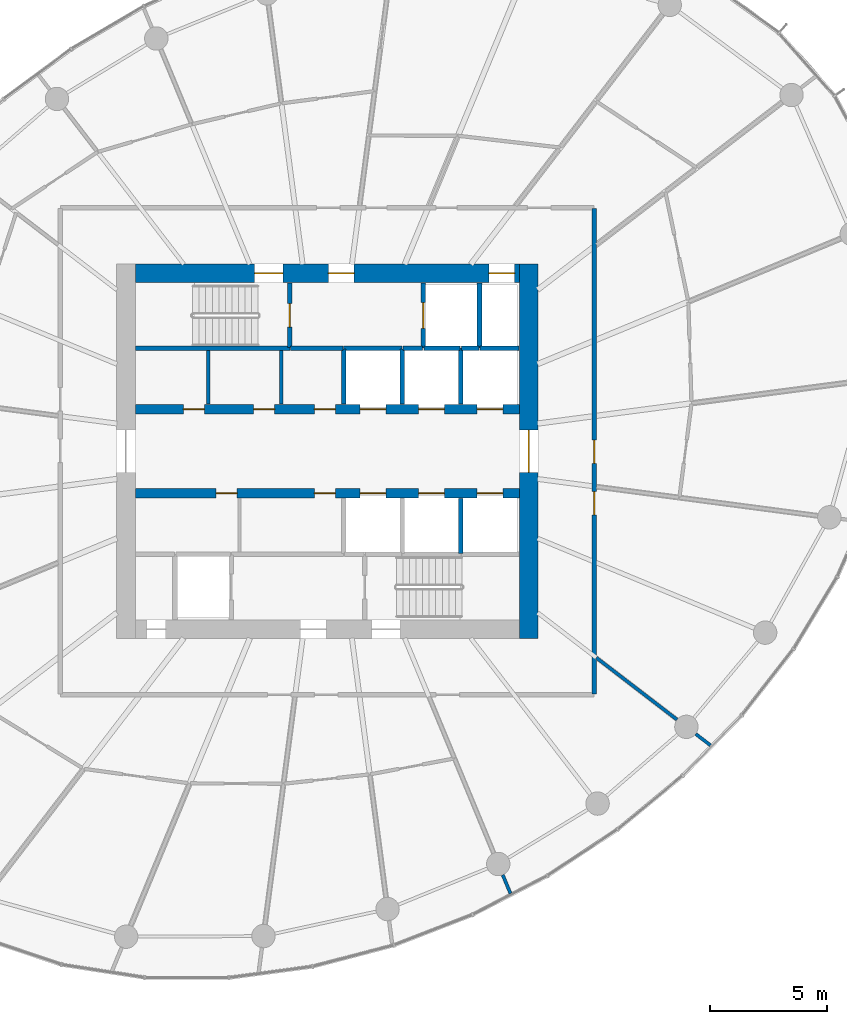
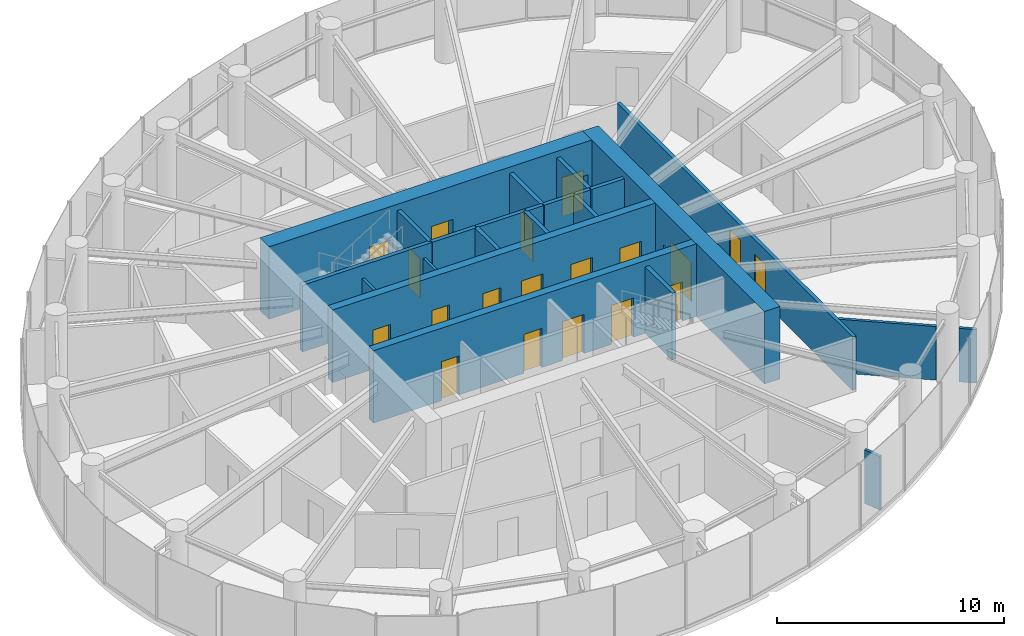
# One storey, part 10 of 15: 24 walls, 19 doors, 19 openings.
"""IFC4 building model written with IfcOpenShell, lengths in metres."""

from ifc_helpers import new_model, si_unit, direction, frame, frame_2d, origin, place, context, subcontext, project, spatial, rectangle, extrude, source, transform, mapped, material, layer, layer_set, type_object, element, fill, save


model = new_model("IFC4")

# Units and contexts
model_context = context("Model", 3, precision=1e-05, world=origin(), true_north=direction((0.0, 1.0)))
body_context = subcontext(model_context, "Body", "Model", "MODEL_VIEW")
ifc_project = project(units=[si_unit("LENGTHUNIT", "METRE"), si_unit("AREAUNIT", "SQUARE_METRE"), si_unit("VOLUMEUNIT", "CUBIC_METRE"), si_unit("PLANEANGLEUNIT", "RADIAN"), si_unit("MASSUNIT", "GRAM", prefix="KILO")], contexts=[model_context])

# Site, building, storey
site_placement = place(None, origin())
site = spatial("IfcSite", under=ifc_project, at=site_placement, CompositionType="ELEMENT")
building_placement = place(site_placement, origin())
building = spatial("IfcBuilding", under=site, at=building_placement, Name="Spindrift Exchange Tower", CompositionType="ELEMENT")
storey_placement = place(building_placement, frame((0.0, 0.0, 168.199951171875)))
storey = spatial("IfcBuildingStorey", under=building, at=storey_placement, Name="L40", CompositionType="ELEMENT", Elevation=168.199951171875)

# Wall, opening, door
ifc_material_1 = material(Name="Concrete 65 MPa", Category="concrete")
ifc_layer_1 = layer(ifc_material_1, 0.800048828125)
ifc_layer_set_1 = layer_set([ifc_layer_1], Name="RC Core Wall 800 Concrete 65 MPa")
wall_type_1 = type_object("IfcWallType", Name="RC Core Wall 800 Concrete 65 MPa", PredefinedType="SHEAR", material=ifc_layer_set_1)
wall_1_placement = place(storey_placement, frame((60.60009765625, 40.0, 0.0), z_axis=(0.0, 0.0, 1.0), x_axis=(0.0, 1.0, 0.0)))
wall_1 = element("IfcWall", 1, at=wall_1_placement, inside=storey, type_object=wall_type_1, Name="Core wall E L40", PredefinedType="SHEAR", context=body_context, shape_type="SweptSolid", body=[
    extrude(rectangle(XDim=16.0, YDim=0.800048828125, at=frame_2d((8.0, 0.0))), origin(), (0.0, 0.0, 1.0), 3.900146484375),
])
opening_1_placement = place(wall_1_placement, frame((7.10009765625, 0.0, 0.0)))
opening_1 = element("IfcOpeningElement", 2, at=opening_1_placement, cuts=wall_1, Name="Opening L40-D2", PredefinedType="OPENING", context=body_context, shape_type="SweptSolid", body=[
    extrude(rectangle(XDim=1.800048828125, YDim=2.10009765625, at=frame_2d((0.89990234375, 1.050048828125))), frame((0.0, 0.409912109375, 0.0), z_axis=(0.0, -1.0, 0.0), x_axis=(1.0, 0.0, 0.0)), (0.0, 0.0, 1.0), 0.820068359375),
])
ifc_material_2 = material(Name="Timber-core fire door", Category="wood")
door_type_1 = type_object("IfcDoorType", Name="DR-LOBBY-1800", OperationType="NOTDEFINED", PredefinedType="DOOR", material=ifc_material_2)
shared_shape_1 = source(origin(), body_context, "Body", "SweptSolid", [
    extrude(rectangle(XDim=1.800048828125, YDim=2.10009765625, at=frame_2d((0.89990234375, 1.050048828125))), frame((0.0, 0.02490234375, 0.0), z_axis=(0.0, -1.0, 0.0), x_axis=(1.0, 0.0, 0.0)), (0.0, 0.0, 1.0), 0.050048828125),
])
door_1_placement = place(opening_1_placement, origin())
door_1 = element("IfcDoor", 3, at=door_1_placement, inside=storey, type_object=door_type_1, Name="L40 Lobby door 2", OperationType="SINGLE_SWING_LEFT", OverallHeight=2.10009765625, OverallWidth=1.800048828125, PredefinedType="DOOR", context=body_context, shape_type="MappedRepresentation", body=[
    mapped(shared_shape_1, transform((0.0, 0.0, 0.0), scale=1.0)),
])
fill(opening_1, door_1)

# Wall, openings, doors
wall_2_placement = place(storey_placement, frame((60.199951171875, 55.60009765625, 0.0), z_axis=(0.0, 0.0, 1.0), x_axis=(-1.0, 0.0, 0.0)))
wall_2 = element("IfcWall", 4, at=wall_2_placement, inside=storey, type_object=wall_type_1, Name="Core wall N L40", PredefinedType="SHEAR", context=body_context, shape_type="SweptSolid", body=[
    extrude(rectangle(XDim=16.39990234375, YDim=0.800048828125, at=frame_2d((8.199951171875, 0.0))), origin(), (0.0, 0.0, 1.0), 3.900146484375),
])
opening_2_placement = place(wall_2_placement, frame((0.199951171875, 0.0, 0.0)))
opening_2 = element("IfcOpeningElement", 5, at=opening_2_placement, cuts=wall_2, Name="Opening L40-D11", PredefinedType="OPENING", context=body_context, shape_type="SweptSolid", body=[
    extrude(rectangle(XDim=1.10009765625, YDim=2.10009765625, at=frame_2d((0.550048828125, 1.050048828125))), frame((0.0, 0.409912109375, 0.0), z_axis=(0.0, -1.0, 0.0), x_axis=(1.0, 0.0, 0.0)), (0.0, 0.0, 1.0), 0.820068359375),
])
opening_3_placement = place(wall_2_placement, frame((10.10009765625, 0.0, 0.0)))
opening_3 = element("IfcOpeningElement", 6, at=opening_3_placement, cuts=wall_2, Name="Opening L40-D12", PredefinedType="OPENING", context=body_context, shape_type="SweptSolid", body=[
    extrude(rectangle(XDim=1.199951171875, YDim=2.10009765625, at=frame_2d((0.60009765625, 1.050048828125))), frame((0.0, 0.409912109375, 0.0), z_axis=(0.0, -1.0, 0.0), x_axis=(1.0, 0.0, 0.0)), (0.0, 0.0, 1.0), 0.820068359375),
])
opening_4_placement = place(wall_2_placement, frame((7.050048828125, 0.0, 0.0)))
opening_4 = element("IfcOpeningElement", 7, at=opening_4_placement, cuts=wall_2, Name="Opening L40-D14", PredefinedType="OPENING", context=body_context, shape_type="SweptSolid", body=[
    extrude(rectangle(XDim=1.10009765625, YDim=2.10009765625, at=frame_2d((0.550048828125, 1.050048828125))), frame((0.0, 0.409912109375, 0.0), z_axis=(0.0, -1.0, 0.0), x_axis=(1.0, 0.0, 0.0)), (0.0, 0.0, 1.0), 0.820068359375),
])
ifc_material_3 = material(Name="Stainless steel landing door", Category="steel")
door_type_2 = type_object("IfcDoorType", Name="DR-LANDING-1100-SL", OperationType="DOUBLE_DOOR_SLIDING", PredefinedType="USERDEFINED", material=ifc_material_3)
shared_shape_2 = source(origin(), body_context, "Body", "SweptSolid", [
    extrude(rectangle(XDim=1.10009765625, YDim=2.10009765625, at=frame_2d((0.550048828125, 1.050048828125))), frame((0.0, 0.02490234375, 0.0), z_axis=(0.0, -1.0, 0.0), x_axis=(1.0, 0.0, 0.0)), (0.0, 0.0, 1.0), 0.050048828125),
])
door_2_placement = place(opening_2_placement, origin())
door_2 = element("IfcDoor", 8, at=door_2_placement, inside=storey, type_object=door_type_2, Name="L40 Lift landing door 11", ObjectType="LANDING DOOR", OperationType="DOUBLE_DOOR_SLIDING", OverallHeight=2.10009765625, OverallWidth=1.10009765625, PredefinedType="USERDEFINED", context=body_context, shape_type="MappedRepresentation", body=[
    mapped(shared_shape_2, transform((0.0, 0.0, 0.0), scale=1.0)),
])
fill(opening_2, door_2)
ifc_material_4 = material(Name="Steel fire door", Category="steel")
door_type_3 = type_object("IfcDoorType", Name="DR-STAIR-1200", OperationType="NOTDEFINED", PredefinedType="DOOR", material=ifc_material_4)
shared_shape_3 = source(origin(), body_context, "Body", "SweptSolid", [
    extrude(rectangle(XDim=1.199951171875, YDim=2.10009765625, at=frame_2d((0.60009765625, 1.050048828125))), frame((0.0, 0.02490234375, 0.0), z_axis=(0.0, -1.0, 0.0), x_axis=(1.0, 0.0, 0.0)), (0.0, 0.0, 1.0), 0.050048828125),
])
door_3_placement = place(opening_3_placement, origin())
door_3 = element("IfcDoor", 9, at=door_3_placement, inside=storey, type_object=door_type_3, Name="L40 Stair door 12", OperationType="SINGLE_SWING_RIGHT", OverallHeight=2.10009765625, OverallWidth=1.199951171875, PredefinedType="DOOR", context=body_context, shape_type="MappedRepresentation", body=[
    mapped(shared_shape_3, transform((0.0, 0.0, 0.0), scale=1.0)),
])
fill(opening_3, door_3)
door_type_4 = type_object("IfcDoorType", Name="DR-LOBBY-1100", OperationType="NOTDEFINED", PredefinedType="DOOR", material=ifc_material_2)
shared_shape_4 = source(origin(), body_context, "Body", "SweptSolid", [
    extrude(rectangle(XDim=1.10009765625, YDim=2.10009765625, at=frame_2d((0.550048828125, 1.050048828125))), frame((0.0, 0.02490234375, 0.0), z_axis=(0.0, -1.0, 0.0), x_axis=(1.0, 0.0, 0.0)), (0.0, 0.0, 1.0), 0.050048828125),
])
door_4_placement = place(opening_4_placement, origin())
door_4 = element("IfcDoor", 10, at=door_4_placement, inside=storey, type_object=door_type_4, Name="L40 Lobby door 14", OperationType="SINGLE_SWING_RIGHT", OverallHeight=2.10009765625, OverallWidth=1.10009765625, PredefinedType="DOOR", context=body_context, shape_type="MappedRepresentation", body=[
    mapped(shared_shape_4, transform((0.0, 0.0, 0.0), scale=1.0)),
])
fill(opening_4, door_4)

ifc_layer_2 = layer(ifc_material_1, 0.39990234375)
ifc_layer_set_2 = layer_set([ifc_layer_2], Name="RC Spine Wall 400 Concrete 65 MPa")
wall_type_2 = type_object("IfcWallType", Name="RC Spine Wall 400 Concrete 65 MPa", PredefinedType="SHEAR", material=ifc_layer_set_2)
wall_3_placement = place(storey_placement, frame((43.800048828125, 49.800048828125, 0.0), z_axis=(0.0, 0.0, 1.0), x_axis=(1.0, 0.0, 0.0)))
wall_3 = element("IfcWall", 11, at=wall_3_placement, inside=storey, type_object=wall_type_2, Name="Core spine wall N L40", PredefinedType="SHEAR", context=body_context, shape_type="SweptSolid", body=[
    extrude(rectangle(XDim=16.39990234375, YDim=0.39990234375, at=frame_2d((8.199951171875, 0.0))), origin(), (0.0, 0.0, 1.0), 3.900146484375),
])
opening_5_placement = place(wall_3_placement, frame((9.60009765625, 0.0, 0.0)))
opening_5 = element("IfcOpeningElement", 12, at=opening_5_placement, cuts=wall_3, Name="Opening L40-D3", PredefinedType="OPENING", context=body_context, shape_type="SweptSolid", body=[
    extrude(rectangle(XDim=1.10009765625, YDim=2.10009765625, at=frame_2d((0.550048828125, 1.050048828125))), frame((0.0, 0.2099609375, 0.0), z_axis=(0.0, -1.0, 0.0), x_axis=(1.0, 0.0, 0.0)), (0.0, 0.0, 1.0), 0.419921875),
])
opening_6_placement = place(wall_3_placement, frame((12.10009765625, 0.0, 0.0)))
opening_6 = element("IfcOpeningElement", 13, at=opening_6_placement, cuts=wall_3, Name="Opening L40-D4", PredefinedType="OPENING", context=body_context, shape_type="SweptSolid", body=[
    extrude(rectangle(XDim=1.10009765625, YDim=2.10009765625, at=frame_2d((0.550048828125, 1.050048828125))), frame((0.0, 0.2099609375, 0.0), z_axis=(0.0, -1.0, 0.0), x_axis=(1.0, 0.0, 0.0)), (0.0, 0.0, 1.0), 0.419921875),
])
opening_7_placement = place(wall_3_placement, frame((14.60009765625, 0.0, 0.0)))
opening_7 = element("IfcOpeningElement", 14, at=opening_7_placement, cuts=wall_3, Name="Opening L40-D5", PredefinedType="OPENING", context=body_context, shape_type="SweptSolid", body=[
    extrude(rectangle(XDim=1.10009765625, YDim=2.10009765625, at=frame_2d((0.550048828125, 1.050048828125))), frame((0.0, 0.2099609375, 0.0), z_axis=(0.0, -1.0, 0.0), x_axis=(1.0, 0.0, 0.0)), (0.0, 0.0, 1.0), 0.419921875),
])
opening_8_placement = place(wall_3_placement, frame((2.050048828125, 0.0, 0.0)))
opening_8 = element("IfcOpeningElement", 15, at=opening_8_placement, cuts=wall_3, Name="Opening L40-D49", PredefinedType="OPENING", context=body_context, shape_type="SweptSolid", body=[
    extrude(rectangle(XDim=0.89990234375, YDim=2.10009765625, at=frame_2d((0.449951171875, 1.050048828125))), frame((0.0, 0.2099609375, 0.0), z_axis=(0.0, -1.0, 0.0), x_axis=(1.0, 0.0, 0.0)), (0.0, 0.0, 1.0), 0.419921875),
])
opening_9_placement = place(wall_3_placement, frame((5.050048828125, 0.0, 0.0)))
opening_9 = element("IfcOpeningElement", 16, at=opening_9_placement, cuts=wall_3, Name="Opening L40-D50", PredefinedType="OPENING", context=body_context, shape_type="SweptSolid", body=[
    extrude(rectangle(XDim=0.89990234375, YDim=2.10009765625, at=frame_2d((0.449951171875, 1.050048828125))), frame((0.0, 0.2099609375, 0.0), z_axis=(0.0, -1.0, 0.0), x_axis=(1.0, 0.0, 0.0)), (0.0, 0.0, 1.0), 0.419921875),
])
opening_10_placement = place(wall_3_placement, frame((7.64990234375, 0.0, 0.0)))
opening_10 = element("IfcOpeningElement", 17, at=opening_10_placement, cuts=wall_3, Name="Opening L40-D51", PredefinedType="OPENING", context=body_context, shape_type="SweptSolid", body=[
    extrude(rectangle(XDim=0.89990234375, YDim=2.10009765625, at=frame_2d((0.449951171875, 1.050048828125))), frame((0.0, 0.2099609375, 0.0), z_axis=(0.0, -1.0, 0.0), x_axis=(1.0, 0.0, 0.0)), (0.0, 0.0, 1.0), 0.419921875),
])
door_5_placement = place(opening_5_placement, origin())
door_5 = element("IfcDoor", 18, at=door_5_placement, inside=storey, type_object=door_type_2, Name="L40 Lift landing door 3", ObjectType="LANDING DOOR", OperationType="DOUBLE_DOOR_SLIDING", OverallHeight=2.10009765625, OverallWidth=1.10009765625, PredefinedType="USERDEFINED", context=body_context, shape_type="MappedRepresentation", body=[
    mapped(shared_shape_2, transform((0.0, 0.0, 0.0), scale=1.0)),
])
fill(opening_5, door_5)
door_6_placement = place(opening_6_placement, origin())
door_6 = element("IfcDoor", 19, at=door_6_placement, inside=storey, type_object=door_type_2, Name="L40 Lift landing door 4", ObjectType="LANDING DOOR", OperationType="DOUBLE_DOOR_SLIDING", OverallHeight=2.10009765625, OverallWidth=1.10009765625, PredefinedType="USERDEFINED", context=body_context, shape_type="MappedRepresentation", body=[
    mapped(shared_shape_2, transform((0.0, 0.0, 0.0), scale=1.0)),
])
fill(opening_6, door_6)
door_7_placement = place(opening_7_placement, origin())
door_7 = element("IfcDoor", 20, at=door_7_placement, inside=storey, type_object=door_type_2, Name="L40 Lift landing door 5", ObjectType="LANDING DOOR", OperationType="DOUBLE_DOOR_SLIDING", OverallHeight=2.10009765625, OverallWidth=1.10009765625, PredefinedType="USERDEFINED", context=body_context, shape_type="MappedRepresentation", body=[
    mapped(shared_shape_2, transform((0.0, 0.0, 0.0), scale=1.0)),
])
fill(opening_7, door_7)
ifc_material_5 = material(Name="Steel access door", Category="steel")
door_type_5 = type_object("IfcDoorType", Name="DR-RISER-900", OperationType="NOTDEFINED", PredefinedType="DOOR", material=ifc_material_5)
shared_shape_5 = source(origin(), body_context, "Body", "SweptSolid", [
    extrude(rectangle(XDim=0.89990234375, YDim=2.10009765625, at=frame_2d((0.449951171875, 1.050048828125))), frame((0.0, 0.02490234375, 0.0), z_axis=(0.0, -1.0, 0.0), x_axis=(1.0, 0.0, 0.0)), (0.0, 0.0, 1.0), 0.050048828125),
])
door_8_placement = place(opening_8_placement, origin())
door_8 = element("IfcDoor", 21, at=door_8_placement, inside=storey, type_object=door_type_5, Name="L40 Riser door 49", OperationType="SINGLE_SWING_LEFT", OverallHeight=2.10009765625, OverallWidth=0.89990234375, PredefinedType="DOOR", context=body_context, shape_type="MappedRepresentation", body=[
    mapped(shared_shape_5, transform((0.0, 0.0, 0.0), scale=1.0)),
])
fill(opening_8, door_8)
door_9_placement = place(opening_9_placement, origin())
door_9 = element("IfcDoor", 22, at=door_9_placement, inside=storey, type_object=door_type_5, Name="L40 Riser door 50", OperationType="SINGLE_SWING_RIGHT", OverallHeight=2.10009765625, OverallWidth=0.89990234375, PredefinedType="DOOR", context=body_context, shape_type="MappedRepresentation", body=[
    mapped(shared_shape_5, transform((0.0, 0.0, 0.0), scale=1.0)),
])
fill(opening_9, door_9)
door_10_placement = place(opening_10_placement, origin())
door_10 = element("IfcDoor", 23, at=door_10_placement, inside=storey, type_object=door_type_5, Name="L40 Riser door 51", OperationType="SINGLE_SWING_LEFT", OverallHeight=2.10009765625, OverallWidth=0.89990234375, PredefinedType="DOOR", context=body_context, shape_type="MappedRepresentation", body=[
    mapped(shared_shape_5, transform((0.0, 0.0, 0.0), scale=1.0)),
])
fill(opening_10, door_10)

wall_4_placement = place(storey_placement, frame((43.800048828125, 46.199951171875, 0.0), z_axis=(0.0, 0.0, 1.0), x_axis=(1.0, 0.0, 0.0)))
wall_4 = element("IfcWall", 24, at=wall_4_placement, inside=storey, type_object=wall_type_2, Name="Core spine wall S L40", PredefinedType="SHEAR", context=body_context, shape_type="SweptSolid", body=[
    extrude(rectangle(XDim=16.39990234375, YDim=0.39990234375, at=frame_2d((8.199951171875, 0.0))), origin(), (0.0, 0.0, 1.0), 3.900146484375),
])
opening_11_placement = place(wall_4_placement, frame((9.60009765625, 0.0, 0.0)))
opening_11 = element("IfcOpeningElement", 25, at=opening_11_placement, cuts=wall_4, Name="Opening L40-D6", PredefinedType="OPENING", context=body_context, shape_type="SweptSolid", body=[
    extrude(rectangle(XDim=1.10009765625, YDim=2.10009765625, at=frame_2d((0.550048828125, 1.050048828125))), frame((0.0, 0.2099609375, 0.0), z_axis=(0.0, -1.0, 0.0), x_axis=(1.0, 0.0, 0.0)), (0.0, 0.0, 1.0), 0.419921875),
])
opening_12_placement = place(wall_4_placement, frame((12.10009765625, 0.0, 0.0)))
opening_12 = element("IfcOpeningElement", 26, at=opening_12_placement, cuts=wall_4, Name="Opening L40-D7", PredefinedType="OPENING", context=body_context, shape_type="SweptSolid", body=[
    extrude(rectangle(XDim=1.10009765625, YDim=2.10009765625, at=frame_2d((0.550048828125, 1.050048828125))), frame((0.0, 0.2099609375, 0.0), z_axis=(0.0, -1.0, 0.0), x_axis=(1.0, 0.0, 0.0)), (0.0, 0.0, 1.0), 0.419921875),
])
opening_13_placement = place(wall_4_placement, frame((14.60009765625, 0.0, 0.0)))
opening_13 = element("IfcOpeningElement", 27, at=opening_13_placement, cuts=wall_4, Name="Opening L40-D8", PredefinedType="OPENING", context=body_context, shape_type="SweptSolid", body=[
    extrude(rectangle(XDim=1.10009765625, YDim=2.10009765625, at=frame_2d((0.550048828125, 1.050048828125))), frame((0.0, 0.2099609375, 0.0), z_axis=(0.0, -1.0, 0.0), x_axis=(1.0, 0.0, 0.0)), (0.0, 0.0, 1.0), 0.419921875),
])
opening_14_placement = place(wall_4_placement, frame((3.449951171875, 0.0, 0.0)))
opening_14 = element("IfcOpeningElement", 28, at=opening_14_placement, cuts=wall_4, Name="Opening L40-D52", PredefinedType="OPENING", context=body_context, shape_type="SweptSolid", body=[
    extrude(rectangle(XDim=0.89990234375, YDim=2.10009765625, at=frame_2d((0.449951171875, 1.050048828125))), frame((0.0, 0.2099609375, 0.0), z_axis=(0.0, -1.0, 0.0), x_axis=(1.0, 0.0, 0.0)), (0.0, 0.0, 1.0), 0.419921875),
])
opening_15_placement = place(wall_4_placement, frame((7.64990234375, 0.0, 0.0)))
opening_15 = element("IfcOpeningElement", 29, at=opening_15_placement, cuts=wall_4, Name="Opening L40-D53", PredefinedType="OPENING", context=body_context, shape_type="SweptSolid", body=[
    extrude(rectangle(XDim=0.89990234375, YDim=2.10009765625, at=frame_2d((0.449951171875, 1.050048828125))), frame((0.0, 0.2099609375, 0.0), z_axis=(0.0, -1.0, 0.0), x_axis=(1.0, 0.0, 0.0)), (0.0, 0.0, 1.0), 0.419921875),
])
door_11_placement = place(opening_11_placement, origin())
door_11 = element("IfcDoor", 30, at=door_11_placement, inside=storey, type_object=door_type_2, Name="L40 Lift landing door 6", ObjectType="LANDING DOOR", OperationType="DOUBLE_DOOR_SLIDING", OverallHeight=2.10009765625, OverallWidth=1.10009765625, PredefinedType="USERDEFINED", context=body_context, shape_type="MappedRepresentation", body=[
    mapped(shared_shape_2, transform((0.0, 0.0, 0.0), scale=1.0)),
])
fill(opening_11, door_11)
door_12_placement = place(opening_12_placement, origin())
door_12 = element("IfcDoor", 31, at=door_12_placement, inside=storey, type_object=door_type_2, Name="L40 Lift landing door 7", ObjectType="LANDING DOOR", OperationType="DOUBLE_DOOR_SLIDING", OverallHeight=2.10009765625, OverallWidth=1.10009765625, PredefinedType="USERDEFINED", context=body_context, shape_type="MappedRepresentation", body=[
    mapped(shared_shape_2, transform((0.0, 0.0, 0.0), scale=1.0)),
])
fill(opening_12, door_12)
door_13_placement = place(opening_13_placement, origin())
door_13 = element("IfcDoor", 32, at=door_13_placement, inside=storey, type_object=door_type_2, Name="L40 Lift landing door 8", ObjectType="LANDING DOOR", OperationType="DOUBLE_DOOR_SLIDING", OverallHeight=2.10009765625, OverallWidth=1.10009765625, PredefinedType="USERDEFINED", context=body_context, shape_type="MappedRepresentation", body=[
    mapped(shared_shape_2, transform((0.0, 0.0, 0.0), scale=1.0)),
])
fill(opening_13, door_13)
door_14_placement = place(opening_14_placement, origin())
door_14 = element("IfcDoor", 33, at=door_14_placement, inside=storey, type_object=door_type_5, Name="L40 Riser door 52", OperationType="SINGLE_SWING_RIGHT", OverallHeight=2.10009765625, OverallWidth=0.89990234375, PredefinedType="DOOR", context=body_context, shape_type="MappedRepresentation", body=[
    mapped(shared_shape_5, transform((0.0, 0.0, 0.0), scale=1.0)),
])
fill(opening_14, door_14)
door_15_placement = place(opening_15_placement, origin())
door_15 = element("IfcDoor", 34, at=door_15_placement, inside=storey, type_object=door_type_5, Name="L40 Riser door 53", OperationType="SINGLE_SWING_LEFT", OverallHeight=2.10009765625, OverallWidth=0.89990234375, PredefinedType="DOOR", context=body_context, shape_type="MappedRepresentation", body=[
    mapped(shared_shape_5, transform((0.0, 0.0, 0.0), scale=1.0)),
])
fill(opening_15, door_15)

ifc_material_6 = material(Name="Fire-rated plasterboard partition", Category="gypsum")
ifc_layer_3 = layer(ifc_material_6, 0.179931640625)
ifc_layer_set_3 = layer_set([ifc_layer_3], Name="W-CORR-180")
wall_type_3 = type_object("IfcWallType", Name="W-CORR-180", PredefinedType="PARTITIONING", material=ifc_layer_set_3)
wall_5_placement = place(storey_placement, frame((63.39990234375, 58.3701171875, 0.0), z_axis=(0.0, 0.0, 1.0), x_axis=(0.0, -1.0, 0.0)))
wall_5 = element("IfcWall", 35, at=wall_5_placement, inside=storey, type_object=wall_type_3, Name="L40 Partition wall 29", PredefinedType="PARTITIONING", context=body_context, shape_type="SweptSolid", body=[
    extrude(rectangle(XDim=20.740234375, YDim=0.179931640625, at=frame_2d((10.3701171875, 0.0))), origin(), (0.0, 0.0, 1.0), 2.880126953125),
])
opening_16_placement = place(wall_5_placement, frame((12.090087890625, 0.0, 0.0)))
opening_16 = element("IfcOpeningElement", 36, at=opening_16_placement, cuts=wall_5, Name="Opening L40-D42", PredefinedType="OPENING", context=body_context, shape_type="SweptSolid", body=[
    extrude(rectangle(XDim=1.0, YDim=2.10009765625, at=frame_2d((0.5, 1.050048828125))), frame((0.0, 0.099853515625, 0.0), z_axis=(0.0, -1.0, 0.0), x_axis=(1.0, 0.0, 0.0)), (0.0, 0.0, 1.0), 0.199951171875),
])
opening_17_placement = place(wall_5_placement, frame((9.889892578125, 0.0, 0.0)))
opening_17 = element("IfcOpeningElement", 37, at=opening_17_placement, cuts=wall_5, Name="Opening L40-D43", PredefinedType="OPENING", context=body_context, shape_type="SweptSolid", body=[
    extrude(rectangle(XDim=1.0, YDim=2.10009765625, at=frame_2d((0.5, 1.050048828125))), frame((0.0, 0.099853515625, 0.0), z_axis=(0.0, -1.0, 0.0), x_axis=(1.0, 0.0, 0.0)), (0.0, 0.0, 1.0), 0.199951171875),
])
door_type_6 = type_object("IfcDoorType", Name="DR-ROOM-1000", OperationType="NOTDEFINED", PredefinedType="DOOR", material=ifc_material_2)
shared_shape_6 = source(origin(), body_context, "Body", "SweptSolid", [
    extrude(rectangle(XDim=1.0, YDim=2.10009765625, at=frame_2d((0.5, 1.050048828125))), frame((0.0, 0.02490234375, 0.0), z_axis=(0.0, -1.0, 0.0), x_axis=(1.0, 0.0, 0.0)), (0.0, 0.0, 1.0), 0.050048828125),
])
door_16_placement = place(opening_16_placement, origin())
door_16 = element("IfcDoor", 38, at=door_16_placement, inside=storey, type_object=door_type_6, Name="L40 Door 42", OperationType="SINGLE_SWING_RIGHT", OverallHeight=2.10009765625, OverallWidth=1.0, PredefinedType="DOOR", context=body_context, shape_type="MappedRepresentation", body=[
    mapped(shared_shape_6, transform((0.0, 0.0, 0.0), scale=1.0)),
])
fill(opening_16, door_16)
door_17_placement = place(opening_17_placement, origin())
door_17 = element("IfcDoor", 39, at=door_17_placement, inside=storey, type_object=door_type_6, Name="L40 Door 43", OperationType="SINGLE_SWING_LEFT", OverallHeight=2.10009765625, OverallWidth=1.0, PredefinedType="DOOR", context=body_context, shape_type="MappedRepresentation", body=[
    mapped(shared_shape_6, transform((0.0, 0.0, 0.0), scale=1.0)),
])
fill(opening_17, door_17)

# Walls
ifc_layer_4 = layer(ifc_material_6, 0.139892578125)
ifc_layer_set_4 = layer_set([ifc_layer_4], Name="W-PART-140")
wall_type_4 = type_object("IfcWallType", Name="W-PART-140", PredefinedType="PARTITIONING", material=ifc_layer_set_4)
wall_6_placement = place(storey_placement, frame((63.489990234375, 39.183349609375, 0.0), z_axis=(0.0, 0.0, 1.0), x_axis=(0.793348465904, -0.608767781382, 0.0)))
element("IfcWall", 40, at=wall_6_placement, inside=storey, type_object=wall_type_4, Name="L40 Partition wall 51", PredefinedType="PARTITIONING", context=body_context, shape_type="SweptSolid", body=[
    extrude(rectangle(XDim=4.34375, YDim=0.139892578125, at=frame_2d((2.171875, 0.0))), origin(), (0.0, 0.0, 1.0), 2.880126953125),
])
for number, where, z_axis, x_axis, name in (
    (41, (46.9150390625, 50.010009765625, 0.0), (0.0, 0.0, 1.0), (0.0, 1.0, 0.0), "L40 Partition wall 79"),
    (42, (50.030029296875, 50.010009765625, 0.0), (0.0, 0.0, 1.0), (0.0, 1.0, 0.0), "L40 Partition wall 81"),
):
    element("IfcWall", number, at=place(storey_placement, frame(where, z_axis=z_axis, x_axis=x_axis)), inside=storey, type_object=wall_type_4, Name=name, PredefinedType="PARTITIONING", context=body_context, shape_type="SweptSolid", body=[
        extrude(rectangle(XDim=2.2900390625, YDim=0.139892578125, at=frame_2d((1.14501953125, 0.0))), origin(), (0.0, 0.0, 1.0), 2.880126953125),
    ])
wall_7_placement = place(storey_placement, frame((59.494140625, 29.90771484375, 0.0), z_axis=(0.0, 0.0, 1.0), x_axis=(0.382636339827, -0.923899037473, 0.0)))
element("IfcWall", 43, at=wall_7_placement, inside=storey, type_object=wall_type_4, Name="L40 Partition wall 97", PredefinedType="PARTITIONING", context=body_context, shape_type="SweptSolid", body=[
    extrude(rectangle(XDim=0.85888671875, YDim=0.139892578125, at=frame_2d((0.429443359375, 0.0))), origin(), (0.0, 0.0, 1.0), 2.880126953125),
])
wall_8_placement = place(storey_placement, frame((67.736572265625, 35.9248046875, 0.0), z_axis=(0.0, 0.0, 1.0), x_axis=(0.79338870093, -0.608715343355, 0.0)))
element("IfcWall", 44, at=wall_8_placement, inside=storey, type_object=wall_type_4, Name="L40 Partition wall 107", PredefinedType="PARTITIONING", context=body_context, shape_type="SweptSolid", body=[
    extrude(rectangle(XDim=0.79443359375, YDim=0.139892578125, at=frame_2d((0.397216796875, 0.0))), origin(), (0.0, 0.0, 1.0), 2.880126953125),
])

# Wall, opening, door
ifc_material_7 = material(Name="Concrete 40 MPa", Category="concrete")
ifc_layer_5 = layer(ifc_material_7, 0.199951171875)
ifc_layer_set_5 = layer_set([ifc_layer_5], Name="W-SHAFT-200")
wall_type_5 = type_object("IfcWallType", Name="W-SHAFT-200", PredefinedType="SOLIDWALL", material=ifc_layer_set_5)
wall_9_placement = place(storey_placement, frame((56.10009765625, 55.179931640625, 0.0), z_axis=(0.0, 0.0, 1.0), x_axis=(0.0, -1.0, 0.0)))
wall_9 = element("IfcWall", 45, at=wall_9_placement, inside=storey, type_object=wall_type_5, Name="L40 Shaft wall 7", PredefinedType="SOLIDWALL", context=body_context, shape_type="SweptSolid", body=[
    extrude(rectangle(XDim=2.780029296875, YDim=0.199951171875, at=frame_2d((1.39013671875, 0.0))), origin(), (0.0, 0.0, 1.0), 3.580078125),
])
opening_18_placement = place(wall_9_placement, frame((0.830078125, 0.0, 0.0)))
opening_18 = element("IfcOpeningElement", 46, at=opening_18_placement, cuts=wall_9, Name="Opening L40-D9", PredefinedType="OPENING", context=body_context, shape_type="SweptSolid", body=[
    extrude(rectangle(XDim=1.10009765625, YDim=2.10009765625, at=frame_2d((0.550048828125, 1.050048828125))), frame((0.0, 0.10986328125, 0.0), z_axis=(0.0, -1.0, 0.0), x_axis=(1.0, 0.0, 0.0)), (0.0, 0.0, 1.0), 0.219970703125),
])
door_18_placement = place(opening_18_placement, origin())
door_18 = element("IfcDoor", 47, at=door_18_placement, inside=storey, type_object=door_type_2, Name="L40 Lift landing door 9", ObjectType="LANDING DOOR", OperationType="DOUBLE_DOOR_SLIDING", OverallHeight=2.10009765625, OverallWidth=1.10009765625, PredefinedType="USERDEFINED", context=body_context, shape_type="MappedRepresentation", body=[
    mapped(shared_shape_2, transform((0.0, 0.0, 0.0), scale=1.0)),
])
fill(opening_18, door_18)

# Walls
wall_10_placement = place(storey_placement, frame((58.5, 52.39990234375, 0.0), z_axis=(0.0, 0.0, 1.0), x_axis=(0.0, 1.0, 0.0)))
element("IfcWall", 48, at=wall_10_placement, inside=storey, type_object=wall_type_5, Name="L40 Shaft wall 8", PredefinedType="SOLIDWALL", context=body_context, shape_type="SweptSolid", body=[
    extrude(rectangle(XDim=2.780029296875, YDim=0.199951171875, at=frame_2d((1.39013671875, 0.0))), origin(), (0.0, 0.0, 1.0), 3.580078125),
])
wall_11_placement = place(storey_placement, frame((55.199951171875, 52.39990234375, 0.0), z_axis=(0.0, 0.0, 1.0), x_axis=(-1.0, 0.0, 0.0)))
element("IfcWall", 49, at=wall_11_placement, inside=storey, type_object=wall_type_5, Name="L40 Shaft wall 9", PredefinedType="SOLIDWALL", context=body_context, shape_type="SweptSolid", body=[
    extrude(rectangle(XDim=2.5, YDim=0.199951171875, at=frame_2d((1.25, 0.0))), origin(), (0.0, 0.0, 1.0), 3.580078125),
])
for number, where, z_axis, x_axis, name in (
    (50, (52.699951171875, 52.3701171875, 0.0), (0.0, 0.0, 1.0), (0.0, -1.0, 0.0), "L40 Shaft wall 14"),
    (51, (55.199951171875, 50.010009765625, 0.0), (0.0, 0.0, 1.0), (0.0, 1.0, 0.0), "L40 Shaft wall 16"),
):
    element("IfcWall", number, at=place(storey_placement, frame(where, z_axis=z_axis, x_axis=x_axis)), inside=storey, type_object=wall_type_5, Name=name, PredefinedType="SOLIDWALL", context=body_context, shape_type="SweptSolid", body=[
        extrude(rectangle(XDim=2.360107421875, YDim=0.199951171875, at=frame_2d((1.18017578125, 0.0))), origin(), (0.0, 0.0, 1.0), 3.580078125),
    ])
wall_12_placement = place(storey_placement, frame((57.699951171875, 50.010009765625, 0.0), z_axis=(0.0, 0.0, 1.0), x_axis=(0.0, 1.0, 0.0)))
element("IfcWall", 52, at=wall_12_placement, inside=storey, type_object=wall_type_5, Name="L40 Shaft wall 18", PredefinedType="SOLIDWALL", context=body_context, shape_type="SweptSolid", body=[
    extrude(rectangle(XDim=2.389892578125, YDim=0.199951171875, at=frame_2d((1.19482421875, 0.0))), origin(), (0.0, 0.0, 1.0), 3.580078125),
])
wall_13_placement = place(storey_placement, frame((60.179931640625, 52.39990234375, 0.0), z_axis=(0.0, 0.0, 1.0), x_axis=(-1.0, 0.0, 0.0)))
element("IfcWall", 53, at=wall_13_placement, inside=storey, type_object=wall_type_5, Name="L40 Shaft wall 21", PredefinedType="SOLIDWALL", context=body_context, shape_type="SweptSolid", body=[
    extrude(rectangle(XDim=1.64990234375, YDim=0.199951171875, at=frame_2d((0.824951171875, 0.0))), origin(), (0.0, 0.0, 1.0), 3.580078125),
])
wall_14_placement = place(storey_placement, frame((57.669921875, 52.39990234375, 0.0), z_axis=(0.0, 0.0, 1.0), x_axis=(-1.0, 0.0, 0.0)))
element("IfcWall", 54, at=wall_14_placement, inside=storey, type_object=wall_type_5, Name="L40 Shaft wall 23", PredefinedType="SOLIDWALL", context=body_context, shape_type="SweptSolid", body=[
    extrude(rectangle(XDim=1.5400390625, YDim=0.199951171875, at=frame_2d((0.77001953125, 0.0))), origin(), (0.0, 0.0, 1.0), 3.580078125),
])
wall_15_placement = place(storey_placement, frame((56.070068359375, 52.39990234375, 0.0), z_axis=(0.0, 0.0, 1.0), x_axis=(-1.0, 0.0, 0.0)))
element("IfcWall", 55, at=wall_15_placement, inside=storey, type_object=wall_type_5, Name="L40 Shaft wall 25", PredefinedType="SOLIDWALL", context=body_context, shape_type="SweptSolid", body=[
    extrude(rectangle(XDim=0.840087890625, YDim=0.199951171875, at=frame_2d((0.419921875, 0.0))), origin(), (0.0, 0.0, 1.0), 3.580078125),
])
wall_16_placement = place(storey_placement, frame((58.469970703125, 52.39990234375, 0.0), z_axis=(0.0, 0.0, 1.0), x_axis=(-1.0, 0.0, 0.0)))
element("IfcWall", 56, at=wall_16_placement, inside=storey, type_object=wall_type_5, Name="L40 Shaft wall 26", PredefinedType="SOLIDWALL", context=body_context, shape_type="SweptSolid", body=[
    extrude(rectangle(XDim=0.739990234375, YDim=0.199951171875, at=frame_2d((0.3701171875, 0.0))), origin(), (0.0, 0.0, 1.0), 3.580078125),
])
ifc_layer_6 = layer(ifc_material_7, 0.199951171875)
ifc_layer_set_6 = layer_set([ifc_layer_6], Name="W-SHAFT-200-LB")
wall_type_6 = type_object("IfcWallType", Name="W-SHAFT-200-LB", PredefinedType="SOLIDWALL", material=ifc_layer_set_6)
wall_17_placement = place(storey_placement, frame((43.820068359375, 52.39990234375, 0.0), z_axis=(0.0, 0.0, 1.0), x_axis=(1.0, 0.0, 0.0)))
element("IfcWall", 57, at=wall_17_placement, inside=storey, type_object=wall_type_6, Name="L40 Shaft wall 1", PredefinedType="SOLIDWALL", context=body_context, shape_type="SweptSolid", body=[
    extrude(rectangle(XDim=6.579833984375, YDim=0.199951171875, at=frame_2d((3.2900390625, 0.0))), origin(), (0.0, 0.0, 1.0), 3.580078125),
])

# Wall, opening, door
wall_18_placement = place(storey_placement, frame((50.39990234375, 52.429931640625, 0.0), z_axis=(0.0, 0.0, 1.0), x_axis=(0.0, 1.0, 0.0)))
wall_18 = element("IfcWall", 58, at=wall_18_placement, inside=storey, type_object=wall_type_6, Name="L40 Shaft wall 5", PredefinedType="SOLIDWALL", context=body_context, shape_type="SweptSolid", body=[
    extrude(rectangle(XDim=2.75, YDim=0.199951171875, at=frame_2d((1.375, 0.0))), origin(), (0.0, 0.0, 1.0), 3.580078125),
])
opening_19_placement = place(wall_18_placement, frame((0.8701171875, 0.0, 0.0)))
opening_19 = element("IfcOpeningElement", 59, at=opening_19_placement, cuts=wall_18, Name="Opening L40-D13", PredefinedType="OPENING", context=body_context, shape_type="SweptSolid", body=[
    extrude(rectangle(XDim=1.0, YDim=2.10009765625, at=frame_2d((0.5, 1.050048828125))), frame((0.0, 0.10986328125, 0.0), z_axis=(0.0, -1.0, 0.0), x_axis=(1.0, 0.0, 0.0)), (0.0, 0.0, 1.0), 0.219970703125),
])
door_type_7 = type_object("IfcDoorType", Name="DR-STAIR-1000", OperationType="NOTDEFINED", PredefinedType="DOOR", material=ifc_material_4)
shared_shape_7 = source(origin(), body_context, "Body", "SweptSolid", [
    extrude(rectangle(XDim=1.0, YDim=2.10009765625, at=frame_2d((0.5, 1.050048828125))), frame((0.0, 0.02490234375, 0.0), z_axis=(0.0, -1.0, 0.0), x_axis=(1.0, 0.0, 0.0)), (0.0, 0.0, 1.0), 0.050048828125),
])
door_19_placement = place(opening_19_placement, origin())
door_19 = element("IfcDoor", 60, at=door_19_placement, inside=storey, type_object=door_type_7, Name="L40 Stair door 13", OperationType="SINGLE_SWING_LEFT", OverallHeight=2.10009765625, OverallWidth=1.0, PredefinedType="DOOR", context=body_context, shape_type="MappedRepresentation", body=[
    mapped(shared_shape_7, transform((0.0, 0.0, 0.0), scale=1.0)),
])
fill(opening_19, door_19)

# Walls
wall_19_placement = place(storey_placement, frame((57.699951171875, 43.6298828125, 0.0), z_axis=(0.0, 0.0, 1.0), x_axis=(0.0, 1.0, 0.0)))
element("IfcWall", 61, at=wall_19_placement, inside=storey, type_object=wall_type_6, Name="L40 Shaft wall 17", PredefinedType="SOLIDWALL", context=body_context, shape_type="SweptSolid", body=[
    extrude(rectangle(XDim=2.360107421875, YDim=0.199951171875, at=frame_2d((1.18017578125, 0.0))), origin(), (0.0, 0.0, 1.0), 3.580078125),
])
wall_20_placement = place(storey_placement, frame((50.429931640625, 52.39990234375, 0.0), z_axis=(0.0, 0.0, 1.0), x_axis=(1.0, 0.0, 0.0)))
element("IfcWall", 62, at=wall_20_placement, inside=storey, type_object=wall_type_6, Name="L40 Shaft wall 19", PredefinedType="SOLIDWALL", context=body_context, shape_type="SweptSolid", body=[
    extrude(rectangle(XDim=2.239990234375, YDim=0.199951171875, at=frame_2d((1.1201171875, 0.0))), origin(), (0.0, 0.0, 1.0), 3.580078125),
])

save(model, "model.ifc")
